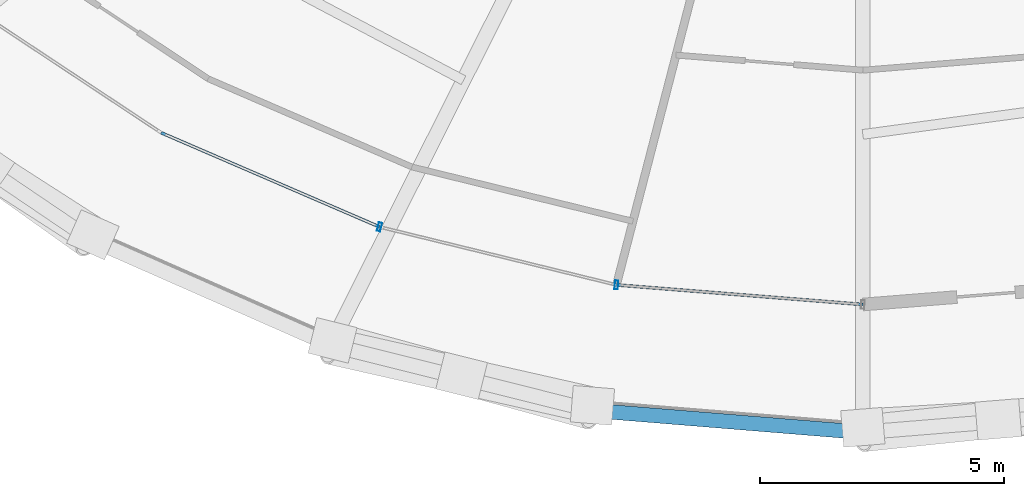
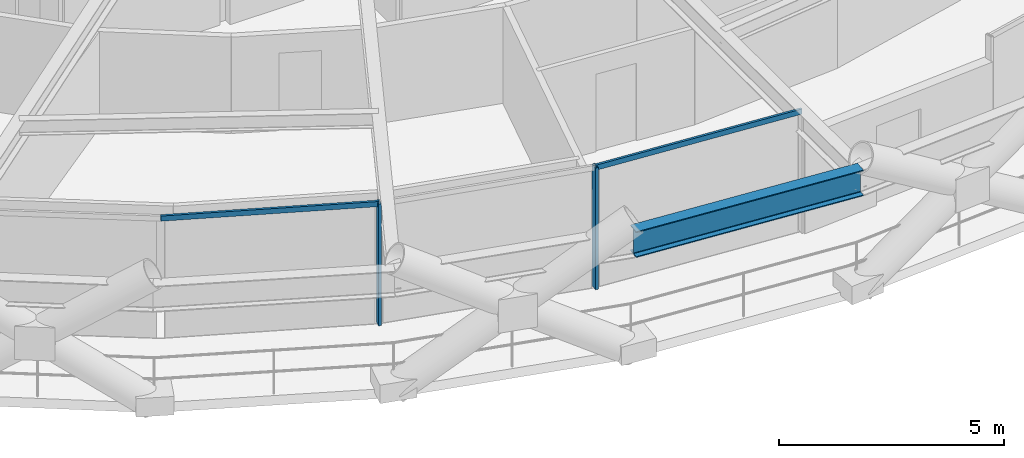
# One storey, part 4 of 19: 4 members, 1 beam, 1 element without a shape of its own.
"""IFC4 building model written with IfcOpenShell, lengths in metres."""

from ifc_helpers import new_model, si_unit, direction, frame, origin, origin_2d, place, context, subcontext, project, spatial, hollow_rectangle, i_section, extrude, material, layer, layer_set, material_profile, profile_set, type_object, element, aggregate, save


model = new_model("IFC4")

# Units and contexts
model_context = context("Model", 3, precision=1e-05, world=origin(), true_north=direction((0.0, 1.0)))
body_context = subcontext(model_context, "Body", "Model", "MODEL_VIEW")
ifc_project = project(units=[si_unit("LENGTHUNIT", "METRE"), si_unit("AREAUNIT", "SQUARE_METRE"), si_unit("VOLUMEUNIT", "CUBIC_METRE"), si_unit("PLANEANGLEUNIT", "RADIAN"), si_unit("MASSUNIT", "GRAM", prefix="KILO")], contexts=[model_context])

# Site, building, storey
site_placement = place(None, origin())
site = spatial("IfcSite", under=ifc_project, at=site_placement, CompositionType="ELEMENT")
building_placement = place(site_placement, origin())
building = spatial("IfcBuilding", under=site, at=building_placement, Name="Veldorina Hangang Commons", CompositionType="ELEMENT")
storey_placement = place(building_placement, frame((0.0, 0.0, 52.0)))
storey = spatial("IfcBuildingStorey", under=building, at=storey_placement, Name="L12", CompositionType="ELEMENT", Elevation=52.0)

# Beam
ifc_material_1 = material(Name="Steel SM460-TMC", Category="steel")
ifc_material_profile_1 = material_profile(ifc_material_1, i_section(OverallWidth=0.300048828125, OverallDepth=0.699951171875, WebThickness=0.012939453125, FlangeThickness=0.02392578125, FilletRadius=0.02197265625, at=origin_2d()), Name="H-700x300x13x24")
ifc_profile_set_1 = profile_set([ifc_material_profile_1], Name="Steel SM460-TMC")
beam_type = type_object("IfcBeamType", Name="BM-RB700", PredefinedType="BEAM", material=ifc_profile_set_1)
beam_placement = place(storey_placement, frame((26.432373046875, 0.912841796875, 2.989990234375), z_axis=(0.996718668419, -0.080943783114, 0.0), x_axis=(0.080943783114, 0.996718668419, 0.0)))
element("IfcBeam", 1, at=beam_placement, inside=storey, type_object=beam_type, Name="L12 perimeter hoop ring beam 23", PredefinedType="BEAM", context=body_context, shape_type="SweptSolid", body=[
    extrude(i_section(OverallWidth=0.300048828125, OverallDepth=0.699951171875, WebThickness=0.012939453125, FlangeThickness=0.02392578125, FilletRadius=0.02197265625, at=origin_2d()), origin(), (0.0, 0.0, 1.0), 5.5859375),
])

# Curtain wall, members
ifc_material_2 = material(Name="Glass Low-E Triple IGU", Category="glass")
ifc_layer = layer(ifc_material_2, 0.179931640625)
ifc_layer_set = layer_set([ifc_layer], Name="Glass Low-E Triple IGU")
curtain_wall_type = type_object("IfcCurtainWallType", Name="CW-SYS-Z1", PredefinedType="NOTDEFINED", material=ifc_layer_set)
curtain_wall_placement = place(storey_placement, origin())
curtain_wall = element("IfcCurtainWall", 2, at=curtain_wall_placement, inside=storey, type_object=curtain_wall_type, Name="L12 unitised curtain wall CW-L12-R1", PredefinedType="NOTDEFINED")
ifc_material_3 = material(Name="Aluminium Anodized AA6063-T6", Category="aluminium")
ifc_material_profile_2 = material_profile(ifc_material_3, hollow_rectangle(XDim=0.070068359375, YDim=0.179931640625, WallThickness=0.00390625, at=origin_2d()), Name="ALU-RHS-180x70x4")
ifc_profile_set_2 = profile_set([ifc_material_profile_2], Name="Aluminium Anodized AA6063-T6")
member_type_1 = type_object("IfcMemberType", Name="CW-MUL-180", PredefinedType="MULLION", material=ifc_profile_set_2)
member_1_placement = place(storey_placement, frame((22.082763671875, 4.677001953125, 0.0), z_axis=(0.0, 0.0, 1.0), x_axis=(0.971313023754, -0.237804562373, 0.0)))
member_1 = element("IfcMember", 3, at=member_1_placement, type_object=member_type_1, Name="CW-L12-R1 vertical mullion 2", PredefinedType="MULLION", context=body_context, shape_type="SweptSolid", body=[
    extrude(hollow_rectangle(XDim=0.070068359375, YDim=0.179931640625, WallThickness=0.00390625, at=origin_2d()), origin(), (0.0, 0.0, 1.0), 3.300048828125),
])
member_2_placement = place(storey_placement, frame((26.944091796875, 3.48681640625, 0.0), z_axis=(0.0, 0.0, 1.0), x_axis=(0.996855404635, -0.079242048492, 0.0)))
member_2 = element("IfcMember", 4, at=member_2_placement, type_object=member_type_1, Name="CW-L12-R1 vertical mullion 3", PredefinedType="MULLION", context=body_context, shape_type="SweptSolid", body=[
    extrude(hollow_rectangle(XDim=0.070068359375, YDim=0.179931640625, WallThickness=0.00390625, at=origin_2d()), origin(), (0.0, 0.0, 1.0), 3.300048828125),
])
ifc_material_profile_3 = material_profile(ifc_material_3, hollow_rectangle(XDim=0.06005859375, YDim=0.139892578125, WallThickness=0.00341796875, at=origin_2d()), Name="ALU-RHS-140x60x3.5")
ifc_profile_set_3 = profile_set([ifc_material_profile_3], Name="Aluminium Anodized AA6063-T6")
member_type_2 = type_object("IfcMemberType", Name="CW-TRN-140", PredefinedType="USERDEFINED", material=ifc_profile_set_3)
member_3_placement = place(storey_placement, frame((17.602294921875, 6.609619140625, 3.260009765625), z_axis=(0.918221203131, -0.396067951394, 0.0), x_axis=(0.396067951394, 0.918221203131, 0.0)))
member_3 = element("IfcMember", 5, at=member_3_placement, type_object=member_type_2, Name="CW-L12-R1 facet 2 transom 1", ObjectType="TRANSOM", PredefinedType="USERDEFINED", context=body_context, shape_type="SweptSolid", body=[
    extrude(hollow_rectangle(XDim=0.06005859375, YDim=0.139892578125, WallThickness=0.00341796875, at=origin_2d()), origin(), (0.0, 0.0, 1.0), 4.87939453125),
])
member_4_placement = place(storey_placement, frame((26.944091796875, 3.48681640625, 3.260009765625), z_axis=(0.996852362789, -0.079280305254, 0.0), x_axis=(0.079280305254, 0.996852362789, 0.0)))
member_4 = element("IfcMember", 6, at=member_4_placement, type_object=member_type_2, Name="CW-L12-R1 facet 4 transom 1", ObjectType="TRANSOM", PredefinedType="USERDEFINED", context=body_context, shape_type="SweptSolid", body=[
    extrude(hollow_rectangle(XDim=0.06005859375, YDim=0.139892578125, WallThickness=0.00341796875, at=origin_2d()), origin(), (0.0, 0.0, 1.0), 5.07177734375),
])
aggregate(curtain_wall, [member_1, member_2, member_3, member_4])

save(model, "model.ifc")
